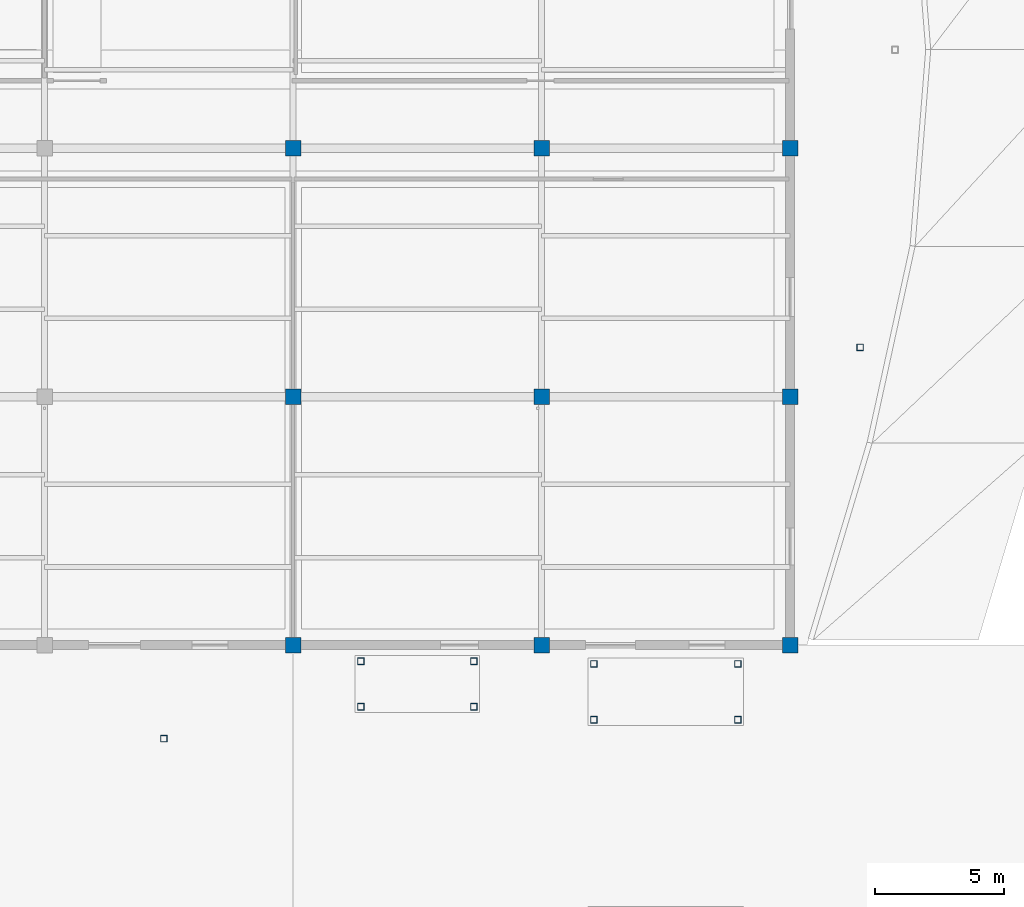
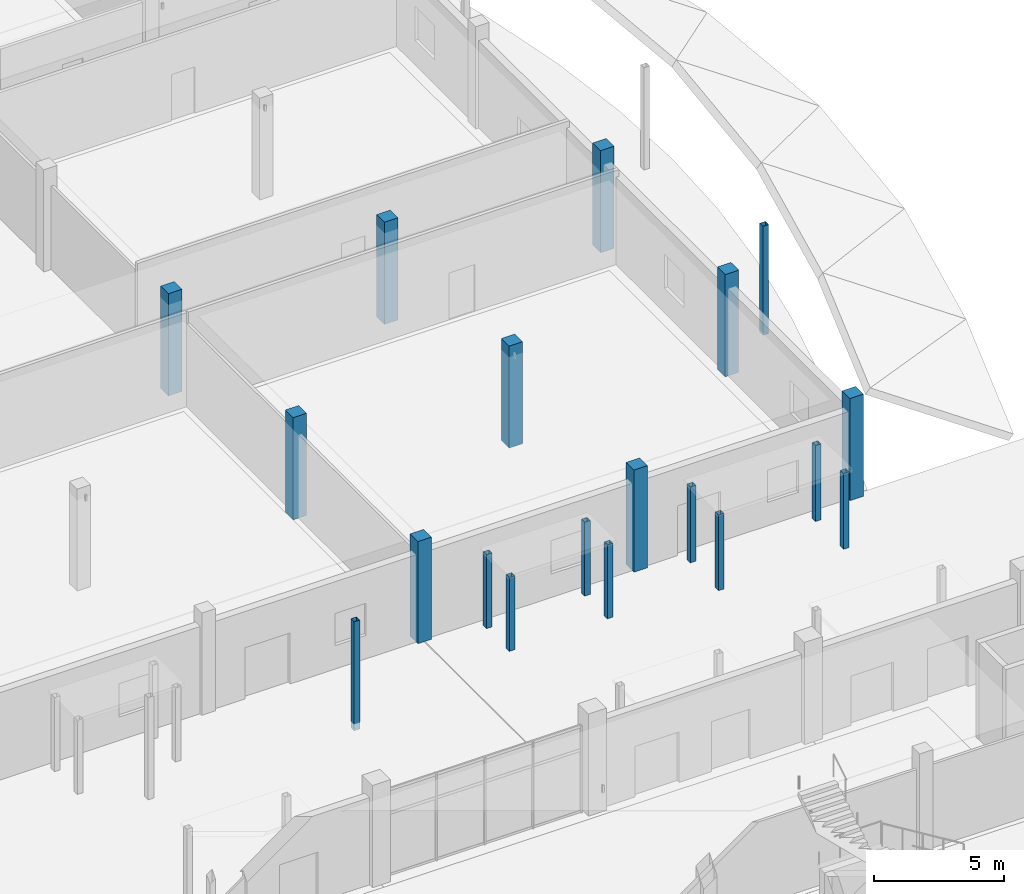
# One storey, part 10 of 116: 19 columns.
"""IFC4 building model written with IfcOpenShell, lengths in metres."""

from ifc_helpers import new_model, si_unit, direction, frame, origin, origin_2d, place, context, subcontext, project, spatial, rectangle, hollow_rectangle, extrude, material, material_profile, profile_set, type_object, element, save


model = new_model("IFC4")

# Units and contexts
model_context = context("Model", 3, precision=1e-05, world=origin(), true_north=direction((0.0, 1.0)))
body_context = subcontext(model_context, "Body", "Model", "MODEL_VIEW")
ifc_project = project(units=[si_unit("LENGTHUNIT", "METRE"), si_unit("AREAUNIT", "SQUARE_METRE"), si_unit("VOLUMEUNIT", "CUBIC_METRE"), si_unit("PLANEANGLEUNIT", "RADIAN"), si_unit("MASSUNIT", "GRAM", prefix="KILO")], contexts=[model_context])

# Site, building, storey
site_placement = place(None, origin())
site = spatial("IfcSite", under=ifc_project, at=site_placement, CompositionType="ELEMENT")
building_placement = place(site_placement, origin())
building = spatial("IfcBuilding", under=site, at=building_placement, Name="Chalmorin Arch Market", CompositionType="ELEMENT")
storey_placement = place(building_placement, origin())
storey = spatial("IfcBuildingStorey", under=building, at=storey_placement, Name="L00", CompositionType="ELEMENT", Elevation=0.0)

# Columns
ifc_material_1 = material(Name="Concrete C40/50", Category="concrete")
ifc_material_profile_1 = material_profile(ifc_material_1, rectangle(XDim=0.60009765625, YDim=0.60009765625, at=origin_2d()), Name="RC600X600")
ifc_profile_set_1 = profile_set([ifc_material_profile_1], Name="Concrete C40/50")
column_type_1 = type_object("IfcColumnType", Name="InteriorConcreteColumn-600x600", PredefinedType="COLUMN", material=ifc_profile_set_1)
for number, where, z_axis, x_axis, name in (
    (1, (96.0, 72.0, 0.0), (0.0, 0.0, 1.0), (1.0, 0.0, 0.0), "C-RC2-501"),
    (2, (96.0, 81.60009765625, 0.0), (0.0, 0.0, 1.0), (1.0, 0.0, 0.0), "C-RC2-506"),
    (3, (96.0, 91.199951171875, 0.0), (0.0, 0.0, 1.0), (1.0, 0.0, 0.0), "C-RC2-511"),
    (4, (105.60009765625, 72.0, 0.0), (0.0, 0.0, 1.0), (1.0, 0.0, 0.0), "C-RC2-556"),
    (5, (105.60009765625, 81.60009765625, 0.0), (0.0, 0.0, 1.0), (1.0, 0.0, 0.0), "C-RC2-561"),
    (6, (105.60009765625, 91.199951171875, 0.0), (0.0, 0.0, 1.0), (1.0, 0.0, 0.0), "C-RC2-566"),
    (7, (115.199951171875, 72.0, 0.0), (0.0, 0.0, 1.0), (1.0, 0.0, 0.0), "C-RC2-611"),
    (8, (115.199951171875, 81.60009765625, 0.0), (0.0, 0.0, 1.0), (1.0, 0.0, 0.0), "C-RC2-616"),
    (9, (115.199951171875, 91.199951171875, 0.0), (0.0, 0.0, 1.0), (1.0, 0.0, 0.0), "C-RC2-621"),
):
    element("IfcColumn", number, at=place(storey_placement, frame(where, z_axis=z_axis, x_axis=x_axis)), inside=storey, type_object=column_type_1, Name=name, PredefinedType="COLUMN", context=body_context, shape_type="SweptSolid", body=[
        extrude(rectangle(XDim=0.60009765625, YDim=0.60009765625, at=origin_2d()), origin(), (0.0, 0.0, 1.0), 4.800048828125),
    ])
ifc_material_2 = material(Name="Steel A500 Grade C", Category="steel")
ifc_material_profile_2 = material_profile(ifc_material_2, hollow_rectangle(XDim=0.25390625, YDim=0.25390625, WallThickness=0.01171875, at=origin_2d()), Name="HSS10X10X1/2")
ifc_profile_set_2 = profile_set([ifc_material_profile_2], Name="Steel A500 Grade C")
column_type_2 = type_object("IfcColumnType", Name="SteelTubeColumn-HSS10X10", PredefinedType="COLUMN", material=ifc_profile_set_2)
for number, where, z_axis, x_axis, name in (
    (10, (91.008056640625, 68.387939453125, -0.320068359375), (0.0, 0.0, 1.0), (1.0, 0.0, 0.0), "C-HS2-732"),
    (11, (117.903076171875, 83.5, -0.320068359375), (0.0, 0.0, 1.0), (1.0, 0.0, 0.0), "C-HS2-736"),
):
    element("IfcColumn", number, at=place(storey_placement, frame(where, z_axis=z_axis, x_axis=x_axis)), inside=storey, type_object=column_type_2, Name=name, PredefinedType="COLUMN", context=body_context, shape_type="SweptSolid", body=[
        extrude(hollow_rectangle(XDim=0.25390625, YDim=0.25390625, WallThickness=0.01171875, at=origin_2d()), origin(), (0.0, 0.0, 1.0), 5.1201171875),
    ])
for number, where, z_axis, x_axis, name in (
    (12, (98.6201171875, 69.6201171875, 0.0), (0.0, 0.0, 1.0), (1.0, 0.0, 0.0), "C-CNP-061"),
    (13, (102.97998046875, 69.6201171875, 0.0), (0.0, 0.0, 1.0), (1.0, 0.0, 0.0), "C-CNP-062"),
    (14, (102.97998046875, 71.3798828125, 0.0), (0.0, 0.0, 1.0), (1.0, 0.0, 0.0), "C-CNP-063"),
    (15, (98.6201171875, 71.3798828125, 0.0), (0.0, 0.0, 1.0), (1.0, 0.0, 0.0), "C-CNP-064"),
):
    element("IfcColumn", number, at=place(storey_placement, frame(where, z_axis=z_axis, x_axis=x_axis)), inside=storey, type_object=column_type_2, Name=name, PredefinedType="COLUMN", context=body_context, shape_type="SweptSolid", body=[
        extrude(hollow_rectangle(XDim=0.25390625, YDim=0.25390625, WallThickness=0.01171875, at=origin_2d()), origin(), (0.0, 0.0, 1.0), 3.469970703125),
    ])
for number, where, z_axis, x_axis, name in (
    (16, (107.6201171875, 69.1201171875, 0.0), (0.0, 0.0, 1.0), (1.0, 0.0, 0.0), "C-CNP-081"),
    (17, (113.179931640625, 69.1201171875, 0.0), (0.0, 0.0, 1.0), (1.0, 0.0, 0.0), "C-CNP-082"),
    (18, (113.179931640625, 71.280029296875, 0.0), (0.0, 0.0, 1.0), (1.0, 0.0, 0.0), "C-CNP-083"),
    (19, (107.6201171875, 71.280029296875, 0.0), (0.0, 0.0, 1.0), (1.0, 0.0, 0.0), "C-CNP-084"),
):
    element("IfcColumn", number, at=place(storey_placement, frame(where, z_axis=z_axis, x_axis=x_axis)), inside=storey, type_object=column_type_2, Name=name, PredefinedType="COLUMN", context=body_context, shape_type="SweptSolid", body=[
        extrude(hollow_rectangle(XDim=0.25390625, YDim=0.25390625, WallThickness=0.01171875, at=origin_2d()), origin(), (0.0, 0.0, 1.0), 3.56005859375),
    ])

save(model, "model.ifc")
